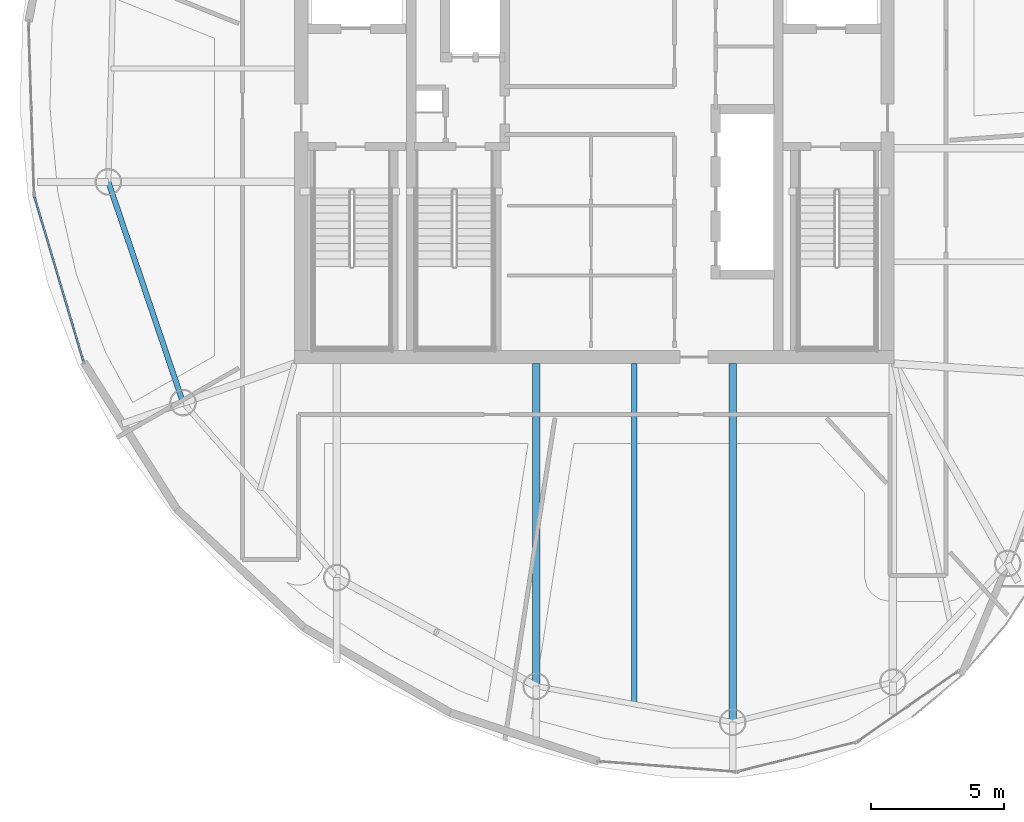
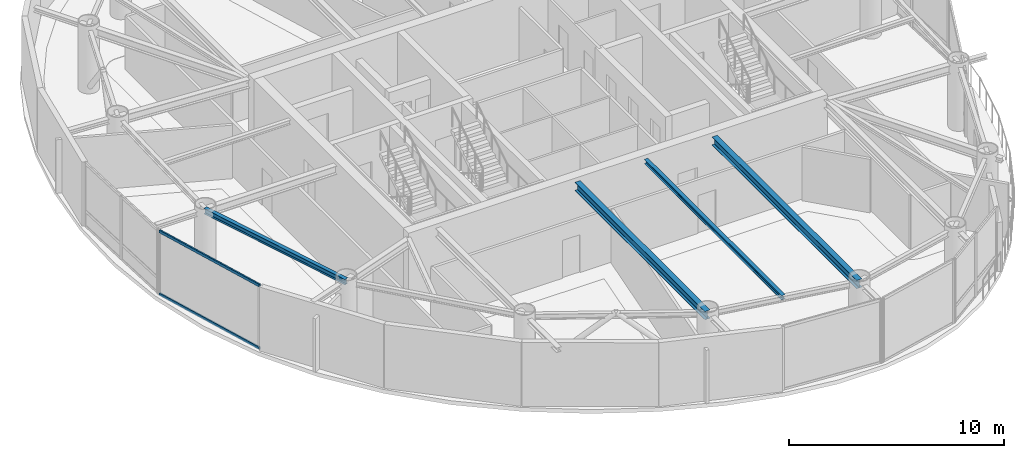
# One storey, part 4 of 23: 4 beams, 2 members, 1 element without a shape of its own.
"""IFC4 building model written with IfcOpenShell, lengths in metres."""

from ifc_helpers import new_model, si_unit, direction, frame, origin, origin_2d, place, context, subcontext, project, spatial, hollow_rectangle, i_section, extrude, material, layer, layer_set, material_profile, profile_set, type_object, element, aggregate, save


model = new_model("IFC4")

# Units and contexts
model_context = context("Model", 3, precision=1e-05, world=origin(), true_north=direction((0.0, 1.0)))
body_context = subcontext(model_context, "Body", "Model", "MODEL_VIEW")
ifc_project = project(units=[si_unit("LENGTHUNIT", "METRE"), si_unit("AREAUNIT", "SQUARE_METRE"), si_unit("VOLUMEUNIT", "CUBIC_METRE"), si_unit("PLANEANGLEUNIT", "RADIAN"), si_unit("MASSUNIT", "GRAM", prefix="KILO")], contexts=[model_context])

# Site, building, storey
site_placement = place(None, origin())
site = spatial("IfcSite", under=ifc_project, at=site_placement, CompositionType="ELEMENT")
building_placement = place(site_placement, origin())
building = spatial("IfcBuilding", under=site, at=building_placement, Name="Bramvorn Convention Spire", CompositionType="ELEMENT")
storey_placement = place(building_placement, frame((0.0, 0.0, 295.949951171875)))
storey = spatial("IfcBuildingStorey", under=building, at=storey_placement, Name="L75", CompositionType="ELEMENT", Elevation=295.949951171875)

# Beams
ifc_material_1 = material(Name="Steel CSA G40.21 Grade 350 (350W)", Category="steel")
ifc_material_profile_1 = material_profile(ifc_material_1, i_section(OverallWidth=0.201904296875, OverallDepth=0.2470703125, WebThickness=0.00732421875, FlangeThickness=0.010986328125, FilletRadius=0.011962890625, at=origin_2d()))
ifc_profile_set_1 = profile_set([ifc_material_profile_1], Name="Steel CSA G40.21 Grade 350 (350W) - W250X49")
beam_type_1 = type_object("IfcBeamType", Name="BM-W250X49", PredefinedType="JOIST", material=ifc_profile_set_1)
beam_1_placement = place(storey_placement, frame((39.501953125, 18.550048828125, 3.50146484375), z_axis=(0.0, -1.0, 0.0), x_axis=(1.0, 0.0, 0.0)))
element("IfcBeam", 1, at=beam_1_placement, inside=storey, type_object=beam_type_1, Name="L75 composite floor joist 15", PredefinedType="JOIST", context=body_context, shape_type="SweptSolid", body=[
    extrude(i_section(OverallWidth=0.201904296875, OverallDepth=0.2470703125, WebThickness=0.00732421875, FlangeThickness=0.010986328125, FilletRadius=0.011962890625, at=origin_2d()), origin(), (0.0, 0.0, 1.0), 12.77587890625),
])
ifc_material_profile_2 = material_profile(ifc_material_1, i_section(OverallWidth=0.202880859375, OverallDepth=0.302978515625, WebThickness=0.007568359375, FlangeThickness=0.01318359375, FilletRadius=0.013916015625, at=origin_2d()))
ifc_profile_set_2 = profile_set([ifc_material_profile_2], Name="Steel CSA G40.21 Grade 350 (350W) - W310X60")
beam_type_2 = type_object("IfcBeamType", Name="BM-W310X60", PredefinedType="JOIST", material=ifc_profile_set_2)
beam_2_placement = place(storey_placement, frame((19.765380859375, 25.37060546875, 3.4736328125), z_axis=(0.320531023763, -0.947238018032, 0.0), x_axis=(0.947238018032, 0.320531023763, 0.0)))
element("IfcBeam", 2, at=beam_2_placement, inside=storey, type_object=beam_type_2, Name="L75 mega-column ring beam 12", PredefinedType="JOIST", context=body_context, shape_type="SweptSolid", body=[
    extrude(i_section(OverallWidth=0.202880859375, OverallDepth=0.302978515625, WebThickness=0.007568359375, FlangeThickness=0.01318359375, FilletRadius=0.013916015625, at=origin_2d()), origin(), (0.0, 0.0, 1.0), 8.74169921875),
])
ifc_material_profile_3 = material_profile(ifc_material_1, i_section(OverallWidth=0.283935546875, OverallDepth=0.47607421875, WebThickness=0.014892578125, FlangeThickness=0.02392578125, FilletRadius=0.01806640625, at=origin_2d()))
ifc_profile_set_3 = profile_set([ifc_material_profile_3], Name="Steel CSA G40.21 Grade 350 (350W) - W460X158")
beam_type_3 = type_object("IfcBeamType", Name="BM-W460X158", PredefinedType="SPANDREL", material=ifc_profile_set_3)
beam_3_placement = place(storey_placement, frame((35.8154296875, 18.550048828125, 3.386962890625), z_axis=(0.0, -1.0, 0.0), x_axis=(1.0, 0.0, 0.0)))
element("IfcBeam", 3, at=beam_3_placement, inside=storey, type_object=beam_type_3, Name="L75 radial floor girder MC15", PredefinedType="SPANDREL", context=body_context, shape_type="SweptSolid", body=[
    extrude(i_section(OverallWidth=0.283935546875, OverallDepth=0.47607421875, WebThickness=0.014892578125, FlangeThickness=0.02392578125, FilletRadius=0.01806640625, at=origin_2d()), origin(), (0.0, 0.0, 1.0), 12.100830078125),
])
beam_4_placement = place(storey_placement, frame((43.1884765625, 18.550048828125, 3.386962890625), z_axis=(0.0, -1.0, 0.0), x_axis=(1.0, 0.0, 0.0)))
element("IfcBeam", 4, at=beam_4_placement, inside=storey, type_object=beam_type_3, Name="L75 radial floor girder MC16", PredefinedType="SPANDREL", context=body_context, shape_type="SweptSolid", body=[
    extrude(i_section(OverallWidth=0.283935546875, OverallDepth=0.47607421875, WebThickness=0.014892578125, FlangeThickness=0.02392578125, FilletRadius=0.01806640625, at=origin_2d()), origin(), (0.0, 0.0, 1.0), 13.450927734375),
])

# Curtain wall, members
ifc_material_2 = material(Name="Anodised Bronze Unitised Curtain Wall", Category="aluminium")
ifc_layer = layer(ifc_material_2, 0.179931640625)
ifc_layer_set = layer_set([ifc_layer], Name="Anodised Bronze Unitised Curtain Wall - CW-OFF-FRIT")
curtain_wall_type = type_object("IfcCurtainWallType", Name="CW-OFF-FRIT", PredefinedType="USERDEFINED", material=ifc_layer_set)
curtain_wall_placement = place(storey_placement, origin())
curtain_wall = element("IfcCurtainWall", 5, at=curtain_wall_placement, inside=storey, type_object=curtain_wall_type, Name="L75 fritted glass curtain wall 18", ObjectType="UNITISED CURTAIN WALL", PredefinedType="USERDEFINED")
ifc_material_3 = material(Name="Anodised Bronze Aluminium 6063-T6", Category="aluminium")
ifc_material_profile_4 = material_profile(ifc_material_3, hollow_rectangle(XDim=0.080078125, YDim=0.159912109375, WallThickness=0.00390625, InnerFilletRadius=0.0009765625, OuterFilletRadius=0.00390625, at=origin_2d()))
ifc_profile_set_4 = profile_set([ifc_material_profile_4], Name="Anodised Bronze Aluminium 6063-T6 - CWT80X160")
member_type = type_object("IfcMemberType", Name="CW-TRN-150", PredefinedType="USERDEFINED", material=ifc_profile_set_4)
member_1_placement = place(storey_placement, frame((18.826171875, 18.66552734375, 0.030029296875), z_axis=(-0.285172751676, 0.958476135176, 0.0), x_axis=(-0.958476135176, -0.285172751676, 0.0)))
member_1 = element("IfcMember", 6, at=member_1_placement, type_object=member_type, Name="CW3 transom 1.1", ObjectType="TRANSOM", PredefinedType="USERDEFINED", context=body_context, shape_type="SweptSolid", body=[
    extrude(hollow_rectangle(XDim=0.080078125, YDim=0.159912109375, WallThickness=0.00390625, InnerFilletRadius=0.0009765625, OuterFilletRadius=0.00390625, at=origin_2d()), origin(), (0.0, 0.0, 1.0), 6.4072265625),
])
member_2_placement = place(storey_placement, frame((18.826171875, 18.66552734375, 3.594970703125), z_axis=(-0.285172751676, 0.958476135176, 0.0), x_axis=(-0.958476135176, -0.285172751676, 0.0)))
member_2 = element("IfcMember", 7, at=member_2_placement, type_object=member_type, Name="CW3 transom 1.2", ObjectType="TRANSOM", PredefinedType="USERDEFINED", context=body_context, shape_type="SweptSolid", body=[
    extrude(hollow_rectangle(XDim=0.080078125, YDim=0.159912109375, WallThickness=0.00390625, InnerFilletRadius=0.0009765625, OuterFilletRadius=0.00390625, at=origin_2d()), origin(), (0.0, 0.0, 1.0), 6.4072265625),
])
aggregate(curtain_wall, [member_1, member_2])

save(model, "model.ifc")
